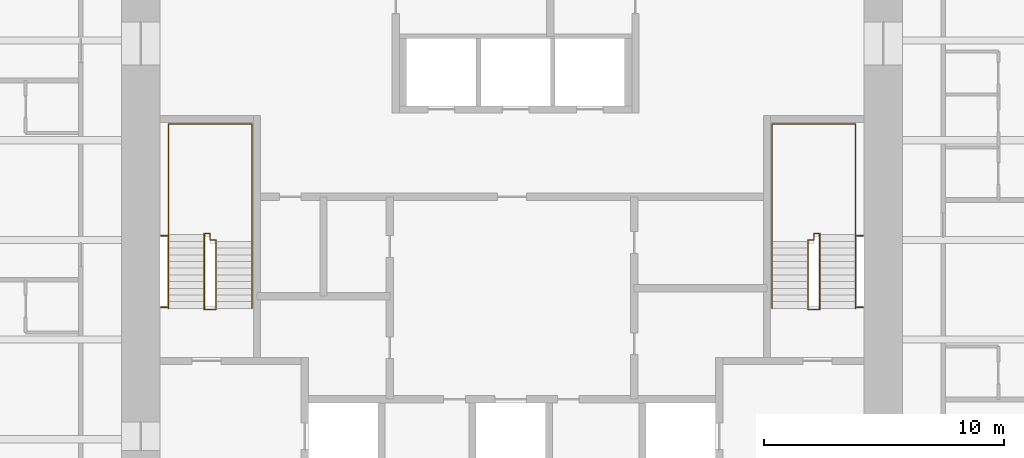
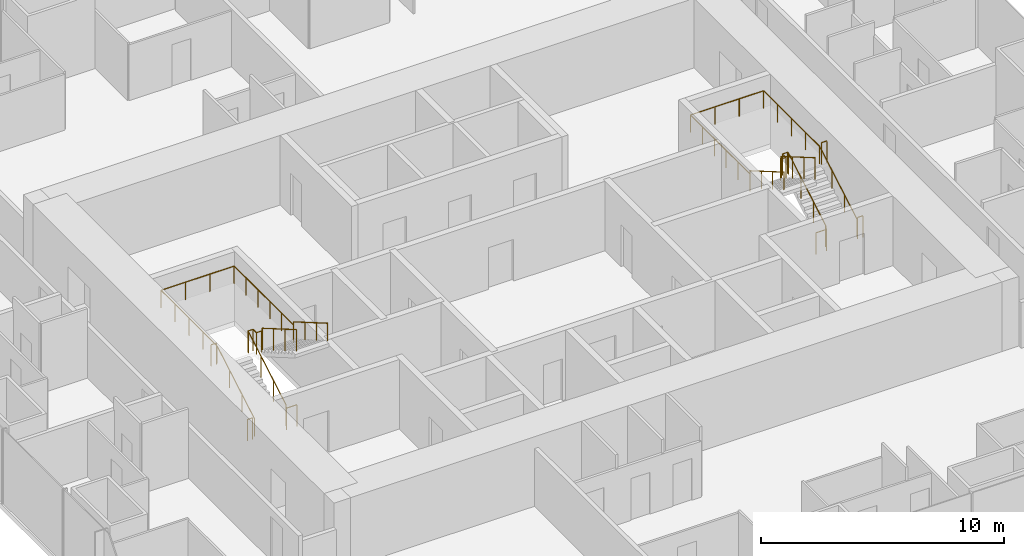
# One storey, part 13 of 13: 8 railings.
"""IFC4 building model written with IfcOpenShell, lengths in metres."""

from ifc_helpers import new_model, si_unit, direction, frame, origin, origin_2d, place, context, subcontext, project, spatial, circle, extrude, material, type_object, element, save


model = new_model("IFC4")

# Units and contexts
model_context = context("Model", 3, precision=1e-05, world=origin(), true_north=direction((0.0, 1.0)))
body_context = subcontext(model_context, "Body", "Model", "MODEL_VIEW")
ifc_project = project(units=[si_unit("LENGTHUNIT", "METRE"), si_unit("AREAUNIT", "SQUARE_METRE"), si_unit("VOLUMEUNIT", "CUBIC_METRE"), si_unit("PLANEANGLEUNIT", "RADIAN"), si_unit("MASSUNIT", "GRAM", prefix="KILO")], contexts=[model_context])

# Site, building, storey
site_placement = place(None, origin())
site = spatial("IfcSite", under=ifc_project, at=site_placement, CompositionType="ELEMENT")
building_placement = place(site_placement, origin())
building = spatial("IfcBuilding", under=site, at=building_placement, Name="Khuree Lantern Residences", CompositionType="ELEMENT")
storey_placement = place(building_placement, frame((0.0, 0.0, 263.25)))
storey = spatial("IfcBuildingStorey", under=building, at=storey_placement, Name="L66", CompositionType="ELEMENT", Elevation=263.25)

# Railings
ifc_material = material(Name="Steel S355", Category="steel")
railing_type_1 = type_object("IfcRailingType", Name="STAIR GUARD G1 1100", PredefinedType="GUARDRAIL", material=ifc_material)
railing_1_placement = place(storey_placement, frame((-12.35009765625, -2.909912109375, 0.0)))
element("IfcRailing", 1, at=railing_1_placement, inside=storey, type_object=railing_type_1, Name="Stair ST1 guard", PredefinedType="GUARDRAIL", context=body_context, shape_type="SweptSolid", body=[
    extrude(circle(Radius=0.02392578125, at=origin_2d()), frame((0.0, 0.0, 1.076171875), z_axis=(-1.0, 0.0, 0.0), x_axis=(0.0, -1.0, 0.0)), (0.0, 0.0, 1.0), 0.5),
    extrude(circle(Radius=0.02392578125, at=origin_2d()), frame((-0.5, 0.0, 1.076171875), z_axis=(0.0, 0.292073035251, 0.95639601739), x_axis=(-1.0, 0.0, 0.0)), (0.0, 0.0, 1.0), 0.17041015625),
    extrude(circle(Radius=0.02392578125, at=origin_2d()), frame((-0.5, 0.0498046875, 1.2392578125), z_axis=(0.0, 0.864176135923, 0.503189433615), x_axis=(-1.0, 0.0, 0.0)), (0.0, 0.0, 1.0), 3.564208984375),
    extrude(circle(Radius=0.02392578125, at=origin_2d()), frame((-0.5, 3.1298828125, 3.03271484375), z_axis=(0.0, 1.0, 0.0), x_axis=(-1.0, 0.0, 0.0)), (0.0, 0.0, 1.0), 0.050048828125),
    extrude(circle(Radius=0.02392578125, at=origin_2d()), frame((-0.5, 3.179931640625, 3.03271484375), z_axis=(1.0, 0.0, 0.0), x_axis=(0.0, 1.0, 0.0)), (0.0, 0.0, 1.0), 0.25),
    extrude(circle(Radius=0.02392578125, at=origin_2d()), frame((-0.25, 3.179931640625, 3.03271484375), z_axis=(0.0, -1.0, 0.0), x_axis=(1.0, 0.0, 0.0)), (0.0, 0.0, 1.0), 0.280029296875),
    extrude(circle(Radius=0.02392578125, at=origin_2d()), frame((-0.25, 2.89990234375, 3.03271484375), z_axis=(1.0, 0.0, 0.0), x_axis=(0.0, 1.0, 0.0)), (0.0, 0.0, 1.0), 0.25),
    extrude(circle(Radius=0.02392578125, at=origin_2d()), frame((0.0, 2.89990234375, 3.03271484375), z_axis=(0.0, -0.293381807449, 0.955995353053), x_axis=(1.0, 0.0, 0.0)), (0.0, 0.0, 1.0), 0.170654296875),
    extrude(circle(Radius=0.02392578125, at=origin_2d()), frame((0.0, 2.849853515625, 3.19580078125), z_axis=(0.0, -0.864180358799, 0.503182181189), x_axis=(1.0, 0.0, 0.0)), (0.0, 0.0, 1.0), 3.240234375),
    extrude(circle(Radius=0.02099609375, at=origin_2d()), origin(), (0.0, 0.0, 1.0), 1.052001953125),
    extrude(circle(Radius=0.02099609375, at=origin_2d()), frame((-0.5, 0.0, 0.0)), (0.0, 0.0, 1.0), 1.052001953125),
    extrude(circle(Radius=0.02099609375, at=origin_2d()), frame((-0.5, 0.0498046875, 0.1630859375)), (0.0, 0.0, 1.0), 1.052001953125),
    extrude(circle(Radius=0.02099609375, at=origin_2d()), frame((-0.5, 1.076416015625, 0.760986328125)), (0.0, 0.0, 1.0), 1.052001953125),
    extrude(circle(Radius=0.02099609375, at=origin_2d()), frame((-0.5, 2.103271484375, 1.358642578125)), (0.0, 0.0, 1.0), 1.052001953125),
    extrude(circle(Radius=0.02099609375, at=origin_2d()), frame((-0.5, 3.1298828125, 1.95654296875)), (0.0, 0.0, 1.0), 1.052001953125),
    extrude(circle(Radius=0.02099609375, at=origin_2d()), frame((-0.5, 3.179931640625, 1.95654296875)), (0.0, 0.0, 1.0), 1.052001953125),
    extrude(circle(Radius=0.02099609375, at=origin_2d()), frame((-0.25, 3.179931640625, 1.95654296875)), (0.0, 0.0, 1.0), 1.052001953125),
    extrude(circle(Radius=0.02099609375, at=origin_2d()), frame((-0.25, 2.89990234375, 1.95654296875)), (0.0, 0.0, 1.0), 1.052001953125),
    extrude(circle(Radius=0.02099609375, at=origin_2d()), frame((0.0, 2.89990234375, 1.95654296875)), (0.0, 0.0, 1.0), 1.052001953125),
    extrude(circle(Radius=0.02099609375, at=origin_2d()), frame((0.0, 2.849853515625, 2.11962890625)), (0.0, 0.0, 1.0), 1.052001953125),
    extrude(circle(Radius=0.02099609375, at=origin_2d()), frame((0.0, 1.91650390625, 2.6630859375)), (0.0, 0.0, 1.0), 1.052001953125),
    extrude(circle(Radius=0.02099609375, at=origin_2d()), frame((0.0, 0.983154296875, 3.20654296875)), (0.0, 0.0, 1.0), 1.052001953125),
    extrude(circle(Radius=0.02099609375, at=origin_2d()), frame((0.0, 0.0498046875, 3.75)), (0.0, 0.0, 1.0), 1.052001953125),
])
for number, where, name in (
    (2, (-14.64990234375, -2.81005859375, 0.0), "Stair ST1 landing slot guard"),
    (3, (-14.64990234375, 0.169921875, 1.95654296875), "Stair ST1 landing slot guard"),
):
    element("IfcRailing", number, at=place(storey_placement, frame(where)), inside=storey, type_object=railing_type_1, Name=name, PredefinedType="GUARDRAIL", context=body_context, shape_type="SweptSolid", body=[
        extrude(circle(Radius=0.02392578125, at=origin_2d()), frame((0.0, 0.0, 1.076171875), z_axis=(1.0, 0.0, 0.0), x_axis=(0.0, 1.0, 0.0)), (0.0, 0.0, 1.0), 0.25),
        extrude(circle(Radius=0.02099609375, at=origin_2d()), origin(), (0.0, 0.0, 1.0), 1.052001953125),
        extrude(circle(Radius=0.02099609375, at=origin_2d()), frame((0.25, 0.0, 0.0)), (0.0, 0.0, 1.0), 1.052001953125),
    ])
railing_2_placement = place(storey_placement, frame((12.35009765625, -2.909912109375, 0.0)))
element("IfcRailing", 4, at=railing_2_placement, inside=storey, type_object=railing_type_1, Name="Stair ST2 guard", PredefinedType="GUARDRAIL", context=body_context, shape_type="SweptSolid", body=[
    extrude(circle(Radius=0.02392578125, at=origin_2d()), frame((0.0, 0.0, 1.076171875), z_axis=(1.0, 0.0, 0.0), x_axis=(0.0, 1.0, 0.0)), (0.0, 0.0, 1.0), 0.5),
    extrude(circle(Radius=0.02392578125, at=origin_2d()), frame((0.5, 0.0, 1.076171875), z_axis=(0.0, 0.292073035251, 0.95639601739), x_axis=(-1.0, 0.0, 0.0)), (0.0, 0.0, 1.0), 0.17041015625),
    extrude(circle(Radius=0.02392578125, at=origin_2d()), frame((0.5, 0.0498046875, 1.2392578125), z_axis=(0.0, 0.864176135923, 0.503189433615), x_axis=(-1.0, 0.0, 0.0)), (0.0, 0.0, 1.0), 3.564208984375),
    extrude(circle(Radius=0.02392578125, at=origin_2d()), frame((0.5, 3.1298828125, 3.03271484375), z_axis=(0.0, 1.0, 0.0), x_axis=(-1.0, 0.0, 0.0)), (0.0, 0.0, 1.0), 0.050048828125),
    extrude(circle(Radius=0.02392578125, at=origin_2d()), frame((0.5, 3.179931640625, 3.03271484375), z_axis=(-1.0, 0.0, 0.0), x_axis=(0.0, -1.0, 0.0)), (0.0, 0.0, 1.0), 0.25),
    extrude(circle(Radius=0.02392578125, at=origin_2d()), frame((0.25, 3.179931640625, 3.03271484375), z_axis=(0.0, -1.0, 0.0), x_axis=(1.0, 0.0, 0.0)), (0.0, 0.0, 1.0), 0.280029296875),
    extrude(circle(Radius=0.02392578125, at=origin_2d()), frame((0.25, 2.89990234375, 3.03271484375), z_axis=(-1.0, 0.0, 0.0), x_axis=(0.0, -1.0, 0.0)), (0.0, 0.0, 1.0), 0.25),
    extrude(circle(Radius=0.02392578125, at=origin_2d()), frame((0.0, 2.89990234375, 3.03271484375), z_axis=(0.0, -0.293381807449, 0.955995353053), x_axis=(1.0, 0.0, 0.0)), (0.0, 0.0, 1.0), 0.170654296875),
    extrude(circle(Radius=0.02392578125, at=origin_2d()), frame((0.0, 2.849853515625, 3.19580078125), z_axis=(0.0, -0.864180358799, 0.503182181189), x_axis=(1.0, 0.0, 0.0)), (0.0, 0.0, 1.0), 3.240234375),
    extrude(circle(Radius=0.02099609375, at=origin_2d()), origin(), (0.0, 0.0, 1.0), 1.052001953125),
    extrude(circle(Radius=0.02099609375, at=origin_2d()), frame((0.5, 0.0, 0.0)), (0.0, 0.0, 1.0), 1.052001953125),
    extrude(circle(Radius=0.02099609375, at=origin_2d()), frame((0.5, 0.0498046875, 0.1630859375)), (0.0, 0.0, 1.0), 1.052001953125),
    extrude(circle(Radius=0.02099609375, at=origin_2d()), frame((0.5, 1.076416015625, 0.760986328125)), (0.0, 0.0, 1.0), 1.052001953125),
    extrude(circle(Radius=0.02099609375, at=origin_2d()), frame((0.5, 2.103271484375, 1.358642578125)), (0.0, 0.0, 1.0), 1.052001953125),
    extrude(circle(Radius=0.02099609375, at=origin_2d()), frame((0.5, 3.1298828125, 1.95654296875)), (0.0, 0.0, 1.0), 1.052001953125),
    extrude(circle(Radius=0.02099609375, at=origin_2d()), frame((0.5, 3.179931640625, 1.95654296875)), (0.0, 0.0, 1.0), 1.052001953125),
    extrude(circle(Radius=0.02099609375, at=origin_2d()), frame((0.25, 3.179931640625, 1.95654296875)), (0.0, 0.0, 1.0), 1.052001953125),
    extrude(circle(Radius=0.02099609375, at=origin_2d()), frame((0.25, 2.89990234375, 1.95654296875)), (0.0, 0.0, 1.0), 1.052001953125),
    extrude(circle(Radius=0.02099609375, at=origin_2d()), frame((0.0, 2.89990234375, 1.95654296875)), (0.0, 0.0, 1.0), 1.052001953125),
    extrude(circle(Radius=0.02099609375, at=origin_2d()), frame((0.0, 2.849853515625, 2.11962890625)), (0.0, 0.0, 1.0), 1.052001953125),
    extrude(circle(Radius=0.02099609375, at=origin_2d()), frame((0.0, 1.91650390625, 2.6630859375)), (0.0, 0.0, 1.0), 1.052001953125),
    extrude(circle(Radius=0.02099609375, at=origin_2d()), frame((0.0, 0.983154296875, 3.20654296875)), (0.0, 0.0, 1.0), 1.052001953125),
    extrude(circle(Radius=0.02099609375, at=origin_2d()), frame((0.0, 0.0498046875, 3.75)), (0.0, 0.0, 1.0), 1.052001953125),
])
for number, where, name in (
    (5, (14.64990234375, -2.81005859375, 0.0), "Stair ST2 landing slot guard"),
    (6, (14.64990234375, 0.169921875, 1.95654296875), "Stair ST2 landing slot guard"),
):
    element("IfcRailing", number, at=place(storey_placement, frame(where)), inside=storey, type_object=railing_type_1, Name=name, PredefinedType="GUARDRAIL", context=body_context, shape_type="SweptSolid", body=[
        extrude(circle(Radius=0.02392578125, at=origin_2d()), frame((0.0, 0.0, 1.076171875), z_axis=(-1.0, 0.0, 0.0), x_axis=(0.0, -1.0, 0.0)), (0.0, 0.0, 1.0), 0.25),
        extrude(circle(Radius=0.02099609375, at=origin_2d()), origin(), (0.0, 0.0, 1.0), 1.052001953125),
        extrude(circle(Radius=0.02099609375, at=origin_2d()), frame((-0.25, 0.0, 0.0)), (0.0, 0.0, 1.0), 1.052001953125),
    ])
railing_type_2 = type_object("IfcRailingType", Name="STAIR HANDRAIL H1 900", PredefinedType="HANDRAIL", material=ifc_material)
railing_3_placement = place(storey_placement, frame((-14.340087890625, -2.860107421875, 0.1630859375)))
element("IfcRailing", 7, at=railing_3_placement, inside=storey, type_object=railing_type_2, Name="Stair ST1 handrail", PredefinedType="HANDRAIL", context=body_context, shape_type="SweptSolid", body=[
    extrude(circle(Radius=0.02392578125, at=origin_2d()), frame((0.0, 0.0, 0.8759765625), z_axis=(0.0, 0.864176135923, 0.503189433615), x_axis=(-1.0, 0.0, 0.0)), (0.0, 0.0, 1.0), 3.564208984375),
    extrude(circle(Radius=0.02392578125, at=origin_2d()), frame((0.0, 3.080078125, 2.66943359375), z_axis=(0.0, 1.0, 0.0), x_axis=(-1.0, 0.0, 0.0)), (0.0, 0.0, 1.0), 4.6201171875),
    extrude(circle(Radius=0.02392578125, at=origin_2d()), frame((0.0, 7.7001953125, 2.66943359375), z_axis=(1.0, 0.0, 0.0), x_axis=(0.0, 1.0, 0.0)), (0.0, 0.0, 1.0), 3.47998046875),
    extrude(circle(Radius=0.02392578125, at=origin_2d()), frame((3.47998046875, 7.7001953125, 2.66943359375), z_axis=(0.0, -1.0, 0.0), x_axis=(1.0, 0.0, 0.0)), (0.0, 0.0, 1.0), 4.900146484375),
    extrude(circle(Radius=0.02392578125, at=origin_2d()), frame((3.47998046875, 2.800048828125, 2.66943359375), z_axis=(0.0, 0.0, 1.0), x_axis=(1.0, 0.0, 0.0)), (0.0, 0.0, 1.0), 0.1630859375),
    extrude(circle(Radius=0.02392578125, at=origin_2d()), frame((3.47998046875, 2.800048828125, 2.83251953125), z_axis=(0.0, -0.864180358799, 0.503182181189), x_axis=(1.0, 0.0, 0.0)), (0.0, 0.0, 1.0), 3.240234375),
    extrude(circle(Radius=0.02099609375, at=origin_2d()), origin(), (0.0, 0.0, 1.0), 0.851806640625),
    extrude(circle(Radius=0.02099609375, at=origin_2d()), frame((0.0, 1.026611328125, 0.597900390625)), (0.0, 0.0, 1.0), 0.851806640625),
    extrude(circle(Radius=0.02099609375, at=origin_2d()), frame((0.0, 2.053466796875, 1.195556640625)), (0.0, 0.0, 1.0), 0.851806640625),
    extrude(circle(Radius=0.02099609375, at=origin_2d()), frame((0.0, 3.080078125, 1.79345703125)), (0.0, 0.0, 1.0), 0.851806640625),
    extrude(circle(Radius=0.02099609375, at=origin_2d()), frame((0.0, 4.235107421875, 1.79345703125)), (0.0, 0.0, 1.0), 0.851806640625),
    extrude(circle(Radius=0.02099609375, at=origin_2d()), frame((0.0, 5.39013671875, 1.79345703125)), (0.0, 0.0, 1.0), 0.851806640625),
    extrude(circle(Radius=0.02099609375, at=origin_2d()), frame((0.0, 6.545166015625, 1.79345703125)), (0.0, 0.0, 1.0), 0.851806640625),
    extrude(circle(Radius=0.02099609375, at=origin_2d()), frame((0.0, 7.7001953125, 1.79345703125)), (0.0, 0.0, 1.0), 0.851806640625),
    extrude(circle(Radius=0.02099609375, at=origin_2d()), frame((1.159912109375, 7.7001953125, 1.79345703125)), (0.0, 0.0, 1.0), 0.851806640625),
    extrude(circle(Radius=0.02099609375, at=origin_2d()), frame((2.320068359375, 7.7001953125, 1.79345703125)), (0.0, 0.0, 1.0), 0.851806640625),
    extrude(circle(Radius=0.02099609375, at=origin_2d()), frame((3.47998046875, 7.7001953125, 1.79345703125)), (0.0, 0.0, 1.0), 0.851806640625),
    extrude(circle(Radius=0.02099609375, at=origin_2d()), frame((3.47998046875, 6.72021484375, 1.79345703125)), (0.0, 0.0, 1.0), 0.851806640625),
    extrude(circle(Radius=0.02099609375, at=origin_2d()), frame((3.47998046875, 5.740234375, 1.79345703125)), (0.0, 0.0, 1.0), 0.851806640625),
    extrude(circle(Radius=0.02099609375, at=origin_2d()), frame((3.47998046875, 4.760009765625, 1.79345703125)), (0.0, 0.0, 1.0), 0.851806640625),
    extrude(circle(Radius=0.02099609375, at=origin_2d()), frame((3.47998046875, 3.780029296875, 1.79345703125)), (0.0, 0.0, 1.0), 0.851806640625),
    extrude(circle(Radius=0.02099609375, at=origin_2d()), frame((3.47998046875, 2.800048828125, 1.79345703125)), (0.0, 0.0, 1.0), 0.851806640625),
    extrude(circle(Radius=0.02099609375, at=origin_2d()), frame((3.47998046875, 2.800048828125, 1.95654296875)), (0.0, 0.0, 1.0), 0.851806640625),
    extrude(circle(Radius=0.02099609375, at=origin_2d()), frame((3.47998046875, 1.86669921875, 2.5)), (0.0, 0.0, 1.0), 0.851806640625),
    extrude(circle(Radius=0.02099609375, at=origin_2d()), frame((3.47998046875, 0.933349609375, 3.04345703125)), (0.0, 0.0, 1.0), 0.851806640625),
    extrude(circle(Radius=0.02099609375, at=origin_2d()), frame((3.47998046875, 0.0, 3.5869140625)), (0.0, 0.0, 1.0), 0.851806640625),
])
railing_4_placement = place(storey_placement, frame((14.340087890625, -2.860107421875, 0.1630859375)))
element("IfcRailing", 8, at=railing_4_placement, inside=storey, type_object=railing_type_2, Name="Stair ST2 handrail", PredefinedType="HANDRAIL", context=body_context, shape_type="SweptSolid", body=[
    extrude(circle(Radius=0.02392578125, at=origin_2d()), frame((0.0, 0.0, 0.8759765625), z_axis=(0.0, 0.864176135923, 0.503189433615), x_axis=(-1.0, 0.0, 0.0)), (0.0, 0.0, 1.0), 3.564208984375),
    extrude(circle(Radius=0.02392578125, at=origin_2d()), frame((0.0, 3.080078125, 2.66943359375), z_axis=(0.0, 1.0, 0.0), x_axis=(-1.0, 0.0, 0.0)), (0.0, 0.0, 1.0), 4.6201171875),
    extrude(circle(Radius=0.02392578125, at=origin_2d()), frame((0.0, 7.7001953125, 2.66943359375), z_axis=(-1.0, 0.0, 0.0), x_axis=(0.0, -1.0, 0.0)), (0.0, 0.0, 1.0), 3.47998046875),
    extrude(circle(Radius=0.02392578125, at=origin_2d()), frame((-3.47998046875, 7.7001953125, 2.66943359375), z_axis=(0.0, -1.0, 0.0), x_axis=(1.0, 0.0, 0.0)), (0.0, 0.0, 1.0), 4.900146484375),
    extrude(circle(Radius=0.02392578125, at=origin_2d()), frame((-3.47998046875, 2.800048828125, 2.66943359375), z_axis=(0.0, 0.0, 1.0), x_axis=(1.0, 0.0, 0.0)), (0.0, 0.0, 1.0), 0.1630859375),
    extrude(circle(Radius=0.02392578125, at=origin_2d()), frame((-3.47998046875, 2.800048828125, 2.83251953125), z_axis=(0.0, -0.864180358799, 0.503182181189), x_axis=(1.0, 0.0, 0.0)), (0.0, 0.0, 1.0), 3.240234375),
    extrude(circle(Radius=0.02099609375, at=origin_2d()), origin(), (0.0, 0.0, 1.0), 0.851806640625),
    extrude(circle(Radius=0.02099609375, at=origin_2d()), frame((0.0, 1.026611328125, 0.597900390625)), (0.0, 0.0, 1.0), 0.851806640625),
    extrude(circle(Radius=0.02099609375, at=origin_2d()), frame((0.0, 2.053466796875, 1.195556640625)), (0.0, 0.0, 1.0), 0.851806640625),
    extrude(circle(Radius=0.02099609375, at=origin_2d()), frame((0.0, 3.080078125, 1.79345703125)), (0.0, 0.0, 1.0), 0.851806640625),
    extrude(circle(Radius=0.02099609375, at=origin_2d()), frame((0.0, 4.235107421875, 1.79345703125)), (0.0, 0.0, 1.0), 0.851806640625),
    extrude(circle(Radius=0.02099609375, at=origin_2d()), frame((0.0, 5.39013671875, 1.79345703125)), (0.0, 0.0, 1.0), 0.851806640625),
    extrude(circle(Radius=0.02099609375, at=origin_2d()), frame((0.0, 6.545166015625, 1.79345703125)), (0.0, 0.0, 1.0), 0.851806640625),
    extrude(circle(Radius=0.02099609375, at=origin_2d()), frame((0.0, 7.7001953125, 1.79345703125)), (0.0, 0.0, 1.0), 0.851806640625),
    extrude(circle(Radius=0.02099609375, at=origin_2d()), frame((-1.159912109375, 7.7001953125, 1.79345703125)), (0.0, 0.0, 1.0), 0.851806640625),
    extrude(circle(Radius=0.02099609375, at=origin_2d()), frame((-2.320068359375, 7.7001953125, 1.79345703125)), (0.0, 0.0, 1.0), 0.851806640625),
    extrude(circle(Radius=0.02099609375, at=origin_2d()), frame((-3.47998046875, 7.7001953125, 1.79345703125)), (0.0, 0.0, 1.0), 0.851806640625),
    extrude(circle(Radius=0.02099609375, at=origin_2d()), frame((-3.47998046875, 6.72021484375, 1.79345703125)), (0.0, 0.0, 1.0), 0.851806640625),
    extrude(circle(Radius=0.02099609375, at=origin_2d()), frame((-3.47998046875, 5.740234375, 1.79345703125)), (0.0, 0.0, 1.0), 0.851806640625),
    extrude(circle(Radius=0.02099609375, at=origin_2d()), frame((-3.47998046875, 4.760009765625, 1.79345703125)), (0.0, 0.0, 1.0), 0.851806640625),
    extrude(circle(Radius=0.02099609375, at=origin_2d()), frame((-3.47998046875, 3.780029296875, 1.79345703125)), (0.0, 0.0, 1.0), 0.851806640625),
    extrude(circle(Radius=0.02099609375, at=origin_2d()), frame((-3.47998046875, 2.800048828125, 1.79345703125)), (0.0, 0.0, 1.0), 0.851806640625),
    extrude(circle(Radius=0.02099609375, at=origin_2d()), frame((-3.47998046875, 2.800048828125, 1.95654296875)), (0.0, 0.0, 1.0), 0.851806640625),
    extrude(circle(Radius=0.02099609375, at=origin_2d()), frame((-3.47998046875, 1.86669921875, 2.5)), (0.0, 0.0, 1.0), 0.851806640625),
    extrude(circle(Radius=0.02099609375, at=origin_2d()), frame((-3.47998046875, 0.933349609375, 3.04345703125)), (0.0, 0.0, 1.0), 0.851806640625),
    extrude(circle(Radius=0.02099609375, at=origin_2d()), frame((-3.47998046875, 0.0, 3.5869140625)), (0.0, 0.0, 1.0), 0.851806640625),
])

save(model, "model.ifc")
